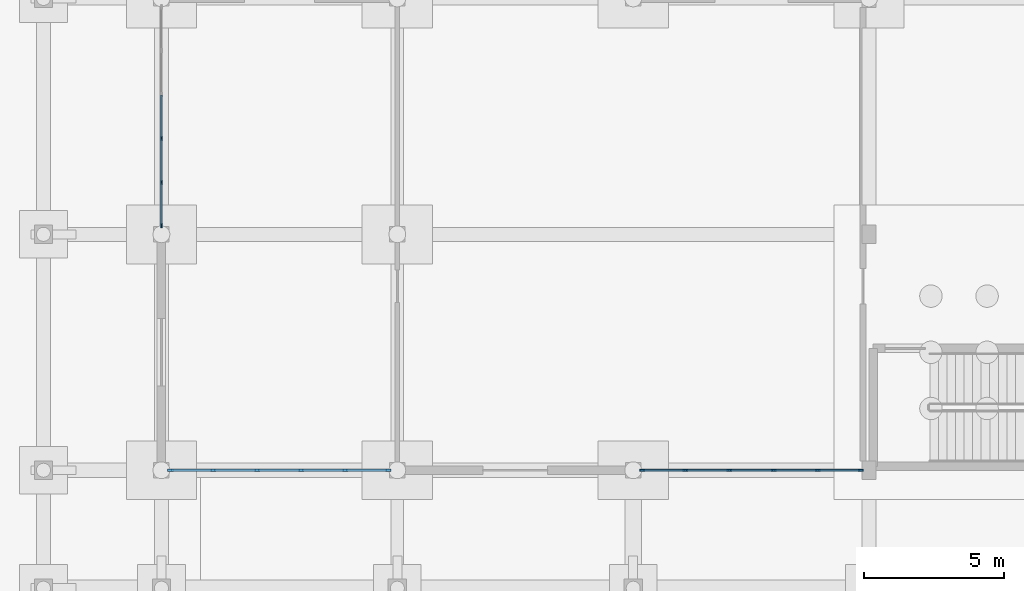
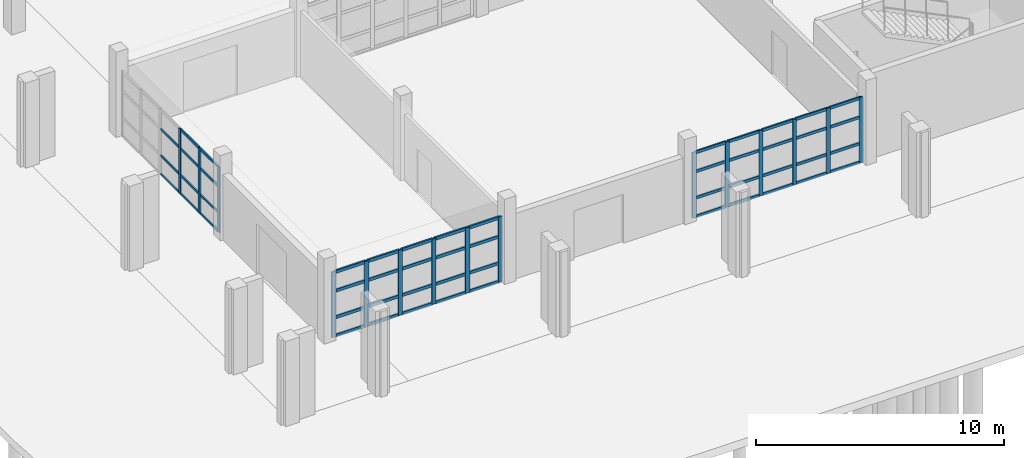
# One storey, part 16 of 88: 66 members, 3 elements without a shape of their own.
"""IFC4 building model written with IfcOpenShell, lengths in metres."""

from ifc_helpers import new_model, si_unit, direction, frame, origin, origin_2d, place, context, subcontext, project, spatial, rectangle, extrude, material, material_profile, profile_set, type_object, element, aggregate, save


model = new_model("IFC4")

# Units and contexts
model_context = context("Model", 3, precision=1e-05, world=origin(), true_north=direction((0.0, 1.0)))
body_context = subcontext(model_context, "Body", "Model", "MODEL_VIEW")
ifc_project = project(units=[si_unit("LENGTHUNIT", "METRE"), si_unit("AREAUNIT", "SQUARE_METRE"), si_unit("VOLUMEUNIT", "CUBIC_METRE"), si_unit("PLANEANGLEUNIT", "RADIAN"), si_unit("MASSUNIT", "GRAM", prefix="KILO")], contexts=[model_context])

# Site, building, storey
site_placement = place(None, origin())
site = spatial("IfcSite", under=ifc_project, at=site_placement, CompositionType="ELEMENT")
building_placement = place(site_placement, origin())
building = spatial("IfcBuilding", under=site, at=building_placement, Name="Vanh Quang Courtyard School", CompositionType="ELEMENT")
storey_placement = place(building_placement, origin())
storey = spatial("IfcBuildingStorey", under=building, at=storey_placement, Name="L00", CompositionType="ELEMENT", Elevation=0.0)

# Curtain wall, members
ifc_material_1 = material(Name="Thermally broken aluminium unitised curtain wall", Category="aluminium")
curtain_wall_type_1 = type_object("IfcCurtainWallType", Name="CW-SYS-01", PredefinedType="NOTDEFINED", material=ifc_material_1)
curtain_wall_1_placement = place(storey_placement, origin())
curtain_wall_1 = element("IfcCurtainWall", 1, at=curtain_wall_1_placement, inside=storey, type_object=curtain_wall_type_1, Name="Curtain Wall CW-01 (L00)", PredefinedType="NOTDEFINED")
ifc_material_2 = material(Name="Anodised aluminium 6063-T6", Category="aluminium")
ifc_material_profile_1 = material_profile(ifc_material_2, rectangle(XDim=0.06005859375, YDim=0.159912109375, at=origin_2d()), Name="ALU-MUL 60x160")
ifc_profile_set_1 = profile_set([ifc_material_profile_1], Name="Anodised aluminium 6063-T6")
member_type_1 = type_object("IfcMemberType", Name="CW-MUL-60x160", PredefinedType="MULLION", material=ifc_profile_set_1)
member_1_placement = place(storey_placement, frame((4.199951171875, 12.9130859375, 0.0), z_axis=(0.0, 0.0, 1.0), x_axis=(-1.0, 0.0, 0.0)))
member_1 = element("IfcMember", 2, at=member_1_placement, type_object=member_type_1, Name="CW-01 mullion 1", PredefinedType="MULLION", context=body_context, shape_type="SweptSolid", body=[
    extrude(rectangle(XDim=0.06005859375, YDim=0.159912109375, at=origin_2d()), origin(), (0.0, 0.0, 1.0), 3.219970703125),
])
member_2_placement = place(storey_placement, frame((4.199951171875, 14.44970703125, 0.0), z_axis=(0.0, 0.0, 1.0), x_axis=(-1.0, 0.0, 0.0)))
member_2 = element("IfcMember", 3, at=member_2_placement, type_object=member_type_1, Name="CW-01 mullion 2", PredefinedType="MULLION", context=body_context, shape_type="SweptSolid", body=[
    extrude(rectangle(XDim=0.06005859375, YDim=0.159912109375, at=origin_2d()), origin(), (0.0, 0.0, 1.0), 3.219970703125),
])
member_3_placement = place(storey_placement, frame((4.199951171875, 16.0166015625, 0.0), z_axis=(0.0, 0.0, 1.0), x_axis=(-1.0, 0.0, 0.0)))
member_3 = element("IfcMember", 4, at=member_3_placement, type_object=member_type_1, Name="CW-01 mullion 3", PredefinedType="MULLION", context=body_context, shape_type="SweptSolid", body=[
    extrude(rectangle(XDim=0.06005859375, YDim=0.159912109375, at=origin_2d()), origin(), (0.0, 0.0, 1.0), 3.219970703125),
])

curtain_wall_type_2 = type_object("IfcCurtainWallType", Name="CW-SYS-08", PredefinedType="NOTDEFINED", material=ifc_material_1)
curtain_wall_2_placement = place(storey_placement, origin())
curtain_wall_2 = element("IfcCurtainWall", 5, at=curtain_wall_2_placement, inside=storey, type_object=curtain_wall_type_2, Name="Curtain Wall CW-08 (L00)", PredefinedType="NOTDEFINED")
ifc_material_profile_2 = material_profile(ifc_material_2, rectangle(XDim=0.070068359375, YDim=0.179931640625, at=origin_2d()), Name="ALU-MUL 70x180")
ifc_profile_set_2 = profile_set([ifc_material_profile_2], Name="Anodised aluminium 6063-T6")
member_type_2 = type_object("IfcMemberType", Name="CW-MUL-70x180", PredefinedType="MULLION", material=ifc_profile_set_2)
member_4_placement = place(storey_placement, frame((29.10693359375, 4.199951171875, 0.0), z_axis=(0.0, 0.0, 1.0), x_axis=(0.0, -1.0, 0.0)))
member_4 = element("IfcMember", 6, at=member_4_placement, type_object=member_type_2, Name="CW-08 mullion 1", PredefinedType="MULLION", context=body_context, shape_type="SweptSolid", body=[
    extrude(rectangle(XDim=0.070068359375, YDim=0.179931640625, at=origin_2d()), origin(), (0.0, 0.0, 1.0), 3.219970703125),
])
member_5_placement = place(storey_placement, frame((27.5703125, 4.199951171875, 0.0), z_axis=(0.0, 0.0, 1.0), x_axis=(0.0, -1.0, 0.0)))
member_5 = element("IfcMember", 7, at=member_5_placement, type_object=member_type_2, Name="CW-08 mullion 2", PredefinedType="MULLION", context=body_context, shape_type="SweptSolid", body=[
    extrude(rectangle(XDim=0.070068359375, YDim=0.179931640625, at=origin_2d()), origin(), (0.0, 0.0, 1.0), 3.219970703125),
])
member_6_placement = place(storey_placement, frame((25.998291015625, 4.199951171875, 0.0), z_axis=(0.0, 0.0, 1.0), x_axis=(0.0, -1.0, 0.0)))
member_6 = element("IfcMember", 8, at=member_6_placement, type_object=member_type_2, Name="CW-08 mullion 3", PredefinedType="MULLION", context=body_context, shape_type="SweptSolid", body=[
    extrude(rectangle(XDim=0.070068359375, YDim=0.179931640625, at=origin_2d()), origin(), (0.0, 0.0, 1.0), 3.219970703125),
])
member_7_placement = place(storey_placement, frame((24.426513671875, 4.199951171875, 0.0), z_axis=(0.0, 0.0, 1.0), x_axis=(0.0, -1.0, 0.0)))
member_7 = element("IfcMember", 9, at=member_7_placement, type_object=member_type_2, Name="CW-08 mullion 4", PredefinedType="MULLION", context=body_context, shape_type="SweptSolid", body=[
    extrude(rectangle(XDim=0.070068359375, YDim=0.179931640625, at=origin_2d()), origin(), (0.0, 0.0, 1.0), 3.219970703125),
])
member_8_placement = place(storey_placement, frame((22.854736328125, 4.199951171875, 0.0), z_axis=(0.0, 0.0, 1.0), x_axis=(0.0, -1.0, 0.0)))
member_8 = element("IfcMember", 10, at=member_8_placement, type_object=member_type_2, Name="CW-08 mullion 5", PredefinedType="MULLION", context=body_context, shape_type="SweptSolid", body=[
    extrude(rectangle(XDim=0.070068359375, YDim=0.179931640625, at=origin_2d()), origin(), (0.0, 0.0, 1.0), 3.219970703125),
])
member_9_placement = place(storey_placement, frame((21.318115234375, 4.199951171875, 0.0), z_axis=(0.0, 0.0, 1.0), x_axis=(0.0, -1.0, 0.0)))
member_9 = element("IfcMember", 11, at=member_9_placement, type_object=member_type_2, Name="CW-08 mullion 6", PredefinedType="MULLION", context=body_context, shape_type="SweptSolid", body=[
    extrude(rectangle(XDim=0.070068359375, YDim=0.179931640625, at=origin_2d()), origin(), (0.0, 0.0, 1.0), 3.219970703125),
])

curtain_wall_3_placement = place(storey_placement, origin())
curtain_wall_3 = element("IfcCurtainWall", 12, at=curtain_wall_3_placement, inside=storey, type_object=curtain_wall_type_1, Name="Curtain Wall CW-01 (L00)", PredefinedType="NOTDEFINED")
ifc_material_profile_3 = material_profile(ifc_material_2, rectangle(XDim=0.080078125, YDim=0.199951171875, at=origin_2d()), Name="ALU-MUL 80x200")
ifc_profile_set_3 = profile_set([ifc_material_profile_3], Name="Anodised aluminium 6063-T6")
member_type_3 = type_object("IfcMemberType", Name="CW-MUL-80x200", PredefinedType="MULLION", material=ifc_profile_set_3)
member_10_placement = place(storey_placement, frame((12.277099609375, 4.199951171875, 0.0), z_axis=(0.0, 0.0, 1.0), x_axis=(0.0, -1.0, 0.0)))
member_10 = element("IfcMember", 13, at=member_10_placement, type_object=member_type_3, Name="CW-01 mullion 1", PredefinedType="MULLION", context=body_context, shape_type="SweptSolid", body=[
    extrude(rectangle(XDim=0.080078125, YDim=0.199951171875, at=origin_2d()), origin(), (0.0, 0.0, 1.0), 3.219970703125),
])
member_11_placement = place(storey_placement, frame((10.750244140625, 4.199951171875, 0.0), z_axis=(0.0, 0.0, 1.0), x_axis=(0.0, -1.0, 0.0)))
member_11 = element("IfcMember", 14, at=member_11_placement, type_object=member_type_3, Name="CW-01 mullion 2", PredefinedType="MULLION", context=body_context, shape_type="SweptSolid", body=[
    extrude(rectangle(XDim=0.080078125, YDim=0.199951171875, at=origin_2d()), origin(), (0.0, 0.0, 1.0), 3.219970703125),
])
member_12_placement = place(storey_placement, frame((9.183349609375, 4.199951171875, 0.0), z_axis=(0.0, 0.0, 1.0), x_axis=(0.0, -1.0, 0.0)))
member_12 = element("IfcMember", 15, at=member_12_placement, type_object=member_type_3, Name="CW-01 mullion 3", PredefinedType="MULLION", context=body_context, shape_type="SweptSolid", body=[
    extrude(rectangle(XDim=0.080078125, YDim=0.199951171875, at=origin_2d()), origin(), (0.0, 0.0, 1.0), 3.219970703125),
])
member_13_placement = place(storey_placement, frame((7.61669921875, 4.199951171875, 0.0), z_axis=(0.0, 0.0, 1.0), x_axis=(0.0, -1.0, 0.0)))
member_13 = element("IfcMember", 16, at=member_13_placement, type_object=member_type_3, Name="CW-01 mullion 4", PredefinedType="MULLION", context=body_context, shape_type="SweptSolid", body=[
    extrude(rectangle(XDim=0.080078125, YDim=0.199951171875, at=origin_2d()), origin(), (0.0, 0.0, 1.0), 3.219970703125),
])
member_14_placement = place(storey_placement, frame((6.0498046875, 4.199951171875, 0.0), z_axis=(0.0, 0.0, 1.0), x_axis=(0.0, -1.0, 0.0)))
member_14 = element("IfcMember", 17, at=member_14_placement, type_object=member_type_3, Name="CW-01 mullion 5", PredefinedType="MULLION", context=body_context, shape_type="SweptSolid", body=[
    extrude(rectangle(XDim=0.080078125, YDim=0.199951171875, at=origin_2d()), origin(), (0.0, 0.0, 1.0), 3.219970703125),
])
member_15_placement = place(storey_placement, frame((4.52294921875, 4.199951171875, 0.0), z_axis=(0.0, 0.0, 1.0), x_axis=(0.0, -1.0, 0.0)))
member_15 = element("IfcMember", 18, at=member_15_placement, type_object=member_type_3, Name="CW-01 mullion 6", PredefinedType="MULLION", context=body_context, shape_type="SweptSolid", body=[
    extrude(rectangle(XDim=0.080078125, YDim=0.199951171875, at=origin_2d()), origin(), (0.0, 0.0, 1.0), 3.219970703125),
])

# Member
ifc_material_profile_4 = material_profile(ifc_material_2, rectangle(XDim=0.06005859375, YDim=0.1201171875, at=origin_2d()), Name="ALU-TRN 60x120")
ifc_profile_set_4 = profile_set([ifc_material_profile_4], Name="Anodised aluminium 6063-T6")
member_type_4 = type_object("IfcMemberType", Name="CW-TRN-60x120", PredefinedType="USERDEFINED", material=ifc_profile_set_4)
member_16_placement = place(storey_placement, frame((4.199951171875, 12.943115234375, 0.030029296875), z_axis=(0.0, 1.0, 0.0), x_axis=(-1.0, 0.0, 0.0)))
member_16 = element("IfcMember", 19, at=member_16_placement, type_object=member_type_4, Name="CW-01 transom 1.1", ObjectType="TRANSOM", PredefinedType="USERDEFINED", context=body_context, shape_type="SweptSolid", body=[
    extrude(rectangle(XDim=0.06005859375, YDim=0.1201171875, at=origin_2d()), origin(), (0.0, 0.0, 1.0), 1.476806640625),
])

member_17_placement = place(storey_placement, frame((4.199951171875, 12.943115234375, 0.949951171875), z_axis=(0.0, 1.0, 0.0), x_axis=(-1.0, 0.0, 0.0)))
member_17 = element("IfcMember", 20, at=member_17_placement, type_object=member_type_4, Name="CW-01 transom 1.2", ObjectType="TRANSOM", PredefinedType="USERDEFINED", context=body_context, shape_type="SweptSolid", body=[
    extrude(rectangle(XDim=0.06005859375, YDim=0.1201171875, at=origin_2d()), origin(), (0.0, 0.0, 1.0), 1.476806640625),
])

member_18_placement = place(storey_placement, frame((4.199951171875, 12.943115234375, 2.25), z_axis=(0.0, 1.0, 0.0), x_axis=(-1.0, 0.0, 0.0)))
member_18 = element("IfcMember", 21, at=member_18_placement, type_object=member_type_4, Name="CW-01 transom 1.3", ObjectType="TRANSOM", PredefinedType="USERDEFINED", context=body_context, shape_type="SweptSolid", body=[
    extrude(rectangle(XDim=0.06005859375, YDim=0.1201171875, at=origin_2d()), origin(), (0.0, 0.0, 1.0), 1.476806640625),
])

member_19_placement = place(storey_placement, frame((4.199951171875, 12.943115234375, 3.18994140625), z_axis=(0.0, 1.0, 0.0), x_axis=(-1.0, 0.0, 0.0)))
member_19 = element("IfcMember", 22, at=member_19_placement, type_object=member_type_4, Name="CW-01 transom 1.4", ObjectType="TRANSOM", PredefinedType="USERDEFINED", context=body_context, shape_type="SweptSolid", body=[
    extrude(rectangle(XDim=0.06005859375, YDim=0.1201171875, at=origin_2d()), origin(), (0.0, 0.0, 1.0), 1.476806640625),
])

member_20_placement = place(storey_placement, frame((4.199951171875, 14.479736328125, 0.030029296875), z_axis=(0.0, 1.0, 0.0), x_axis=(-1.0, 0.0, 0.0)))
member_20 = element("IfcMember", 23, at=member_20_placement, type_object=member_type_4, Name="CW-01 transom 2.1", ObjectType="TRANSOM", PredefinedType="USERDEFINED", context=body_context, shape_type="SweptSolid", body=[
    extrude(rectangle(XDim=0.06005859375, YDim=0.1201171875, at=origin_2d()), origin(), (0.0, 0.0, 1.0), 1.5068359375),
])

member_21_placement = place(storey_placement, frame((4.199951171875, 14.479736328125, 0.949951171875), z_axis=(0.0, 1.0, 0.0), x_axis=(-1.0, 0.0, 0.0)))
member_21 = element("IfcMember", 24, at=member_21_placement, type_object=member_type_4, Name="CW-01 transom 2.2", ObjectType="TRANSOM", PredefinedType="USERDEFINED", context=body_context, shape_type="SweptSolid", body=[
    extrude(rectangle(XDim=0.06005859375, YDim=0.1201171875, at=origin_2d()), origin(), (0.0, 0.0, 1.0), 1.5068359375),
])

member_22_placement = place(storey_placement, frame((4.199951171875, 14.479736328125, 2.25), z_axis=(0.0, 1.0, 0.0), x_axis=(-1.0, 0.0, 0.0)))
member_22 = element("IfcMember", 25, at=member_22_placement, type_object=member_type_4, Name="CW-01 transom 2.3", ObjectType="TRANSOM", PredefinedType="USERDEFINED", context=body_context, shape_type="SweptSolid", body=[
    extrude(rectangle(XDim=0.06005859375, YDim=0.1201171875, at=origin_2d()), origin(), (0.0, 0.0, 1.0), 1.5068359375),
])

member_23_placement = place(storey_placement, frame((4.199951171875, 14.479736328125, 3.18994140625), z_axis=(0.0, 1.0, 0.0), x_axis=(-1.0, 0.0, 0.0)))
member_23 = element("IfcMember", 26, at=member_23_placement, type_object=member_type_4, Name="CW-01 transom 2.4", ObjectType="TRANSOM", PredefinedType="USERDEFINED", context=body_context, shape_type="SweptSolid", body=[
    extrude(rectangle(XDim=0.06005859375, YDim=0.1201171875, at=origin_2d()), origin(), (0.0, 0.0, 1.0), 1.5068359375),
])

member_24_placement = place(storey_placement, frame((4.199951171875, 16.046630859375, 0.030029296875), z_axis=(0.0, 1.0, 0.0), x_axis=(-1.0, 0.0, 0.0)))
member_24 = element("IfcMember", 27, at=member_24_placement, type_object=member_type_4, Name="CW-01 transom 3.1", ObjectType="TRANSOM", PredefinedType="USERDEFINED", context=body_context, shape_type="SweptSolid", body=[
    extrude(rectangle(XDim=0.06005859375, YDim=0.1201171875, at=origin_2d()), origin(), (0.0, 0.0, 1.0), 1.5068359375),
])

member_25_placement = place(storey_placement, frame((4.199951171875, 16.046630859375, 0.949951171875), z_axis=(0.0, 1.0, 0.0), x_axis=(-1.0, 0.0, 0.0)))
member_25 = element("IfcMember", 28, at=member_25_placement, type_object=member_type_4, Name="CW-01 transom 3.2", ObjectType="TRANSOM", PredefinedType="USERDEFINED", context=body_context, shape_type="SweptSolid", body=[
    extrude(rectangle(XDim=0.06005859375, YDim=0.1201171875, at=origin_2d()), origin(), (0.0, 0.0, 1.0), 1.5068359375),
])

member_26_placement = place(storey_placement, frame((4.199951171875, 16.046630859375, 2.25), z_axis=(0.0, 1.0, 0.0), x_axis=(-1.0, 0.0, 0.0)))
member_26 = element("IfcMember", 29, at=member_26_placement, type_object=member_type_4, Name="CW-01 transom 3.3", ObjectType="TRANSOM", PredefinedType="USERDEFINED", context=body_context, shape_type="SweptSolid", body=[
    extrude(rectangle(XDim=0.06005859375, YDim=0.1201171875, at=origin_2d()), origin(), (0.0, 0.0, 1.0), 1.5068359375),
])

aggregate(curtain_wall_1, [member_1, member_2, member_3, member_16, member_17, member_18, member_19, member_20, member_21, member_22, member_23, member_24, member_25, member_26])

ifc_material_profile_5 = material_profile(ifc_material_2, rectangle(XDim=0.070068359375, YDim=0.139892578125, at=origin_2d()), Name="ALU-TRN 70x140")
ifc_profile_set_5 = profile_set([ifc_material_profile_5], Name="Anodised aluminium 6063-T6")
member_type_5 = type_object("IfcMemberType", Name="CW-TRN-70x140", PredefinedType="USERDEFINED", material=ifc_profile_set_5)
member_27_placement = place(storey_placement, frame((29.072021484375, 4.199951171875, 0.034912109375), z_axis=(-1.0, 0.0, 0.0), x_axis=(0.0, -1.0, 0.0)))
member_27 = element("IfcMember", 30, at=member_27_placement, type_object=member_type_5, Name="CW-08 transom 1.1", ObjectType="TRANSOM", PredefinedType="USERDEFINED", context=body_context, shape_type="SweptSolid", body=[
    extrude(rectangle(XDim=0.070068359375, YDim=0.139892578125, at=origin_2d()), origin(), (0.0, 0.0, 1.0), 1.466796875),
])

member_28_placement = place(storey_placement, frame((29.072021484375, 4.199951171875, 0.949951171875), z_axis=(-1.0, 0.0, 0.0), x_axis=(0.0, -1.0, 0.0)))
member_28 = element("IfcMember", 31, at=member_28_placement, type_object=member_type_5, Name="CW-08 transom 1.2", ObjectType="TRANSOM", PredefinedType="USERDEFINED", context=body_context, shape_type="SweptSolid", body=[
    extrude(rectangle(XDim=0.070068359375, YDim=0.139892578125, at=origin_2d()), origin(), (0.0, 0.0, 1.0), 1.466796875),
])

member_29_placement = place(storey_placement, frame((29.072021484375, 4.199951171875, 2.25), z_axis=(-1.0, 0.0, 0.0), x_axis=(0.0, -1.0, 0.0)))
member_29 = element("IfcMember", 32, at=member_29_placement, type_object=member_type_5, Name="CW-08 transom 1.3", ObjectType="TRANSOM", PredefinedType="USERDEFINED", context=body_context, shape_type="SweptSolid", body=[
    extrude(rectangle(XDim=0.070068359375, YDim=0.139892578125, at=origin_2d()), origin(), (0.0, 0.0, 1.0), 1.466796875),
])

member_30_placement = place(storey_placement, frame((29.072021484375, 4.199951171875, 3.18505859375), z_axis=(-1.0, 0.0, 0.0), x_axis=(0.0, -1.0, 0.0)))
member_30 = element("IfcMember", 33, at=member_30_placement, type_object=member_type_5, Name="CW-08 transom 1.4", ObjectType="TRANSOM", PredefinedType="USERDEFINED", context=body_context, shape_type="SweptSolid", body=[
    extrude(rectangle(XDim=0.070068359375, YDim=0.139892578125, at=origin_2d()), origin(), (0.0, 0.0, 1.0), 1.466796875),
])

member_31_placement = place(storey_placement, frame((27.53515625, 4.199951171875, 0.034912109375), z_axis=(-1.0, 0.0, 0.0), x_axis=(0.0, -1.0, 0.0)))
member_31 = element("IfcMember", 34, at=member_31_placement, type_object=member_type_5, Name="CW-08 transom 2.1", ObjectType="TRANSOM", PredefinedType="USERDEFINED", context=body_context, shape_type="SweptSolid", body=[
    extrude(rectangle(XDim=0.070068359375, YDim=0.139892578125, at=origin_2d()), origin(), (0.0, 0.0, 1.0), 1.501708984375),
])

member_32_placement = place(storey_placement, frame((27.53515625, 4.199951171875, 0.949951171875), z_axis=(-1.0, 0.0, 0.0), x_axis=(0.0, -1.0, 0.0)))
member_32 = element("IfcMember", 35, at=member_32_placement, type_object=member_type_5, Name="CW-08 transom 2.2", ObjectType="TRANSOM", PredefinedType="USERDEFINED", context=body_context, shape_type="SweptSolid", body=[
    extrude(rectangle(XDim=0.070068359375, YDim=0.139892578125, at=origin_2d()), origin(), (0.0, 0.0, 1.0), 1.501708984375),
])

member_33_placement = place(storey_placement, frame((27.53515625, 4.199951171875, 2.25), z_axis=(-1.0, 0.0, 0.0), x_axis=(0.0, -1.0, 0.0)))
member_33 = element("IfcMember", 36, at=member_33_placement, type_object=member_type_5, Name="CW-08 transom 2.3", ObjectType="TRANSOM", PredefinedType="USERDEFINED", context=body_context, shape_type="SweptSolid", body=[
    extrude(rectangle(XDim=0.070068359375, YDim=0.139892578125, at=origin_2d()), origin(), (0.0, 0.0, 1.0), 1.501708984375),
])

member_34_placement = place(storey_placement, frame((27.53515625, 4.199951171875, 3.18505859375), z_axis=(-1.0, 0.0, 0.0), x_axis=(0.0, -1.0, 0.0)))
member_34 = element("IfcMember", 37, at=member_34_placement, type_object=member_type_5, Name="CW-08 transom 2.4", ObjectType="TRANSOM", PredefinedType="USERDEFINED", context=body_context, shape_type="SweptSolid", body=[
    extrude(rectangle(XDim=0.070068359375, YDim=0.139892578125, at=origin_2d()), origin(), (0.0, 0.0, 1.0), 1.501708984375),
])

member_35_placement = place(storey_placement, frame((25.96337890625, 4.199951171875, 0.034912109375), z_axis=(-1.0, 0.0, 0.0), x_axis=(0.0, -1.0, 0.0)))
member_35 = element("IfcMember", 38, at=member_35_placement, type_object=member_type_5, Name="CW-08 transom 3.1", ObjectType="TRANSOM", PredefinedType="USERDEFINED", context=body_context, shape_type="SweptSolid", body=[
    extrude(rectangle(XDim=0.070068359375, YDim=0.139892578125, at=origin_2d()), origin(), (0.0, 0.0, 1.0), 1.501708984375),
])

member_36_placement = place(storey_placement, frame((25.96337890625, 4.199951171875, 0.949951171875), z_axis=(-1.0, 0.0, 0.0), x_axis=(0.0, -1.0, 0.0)))
member_36 = element("IfcMember", 39, at=member_36_placement, type_object=member_type_5, Name="CW-08 transom 3.2", ObjectType="TRANSOM", PredefinedType="USERDEFINED", context=body_context, shape_type="SweptSolid", body=[
    extrude(rectangle(XDim=0.070068359375, YDim=0.139892578125, at=origin_2d()), origin(), (0.0, 0.0, 1.0), 1.501708984375),
])

member_37_placement = place(storey_placement, frame((25.96337890625, 4.199951171875, 2.25), z_axis=(-1.0, 0.0, 0.0), x_axis=(0.0, -1.0, 0.0)))
member_37 = element("IfcMember", 40, at=member_37_placement, type_object=member_type_5, Name="CW-08 transom 3.3", ObjectType="TRANSOM", PredefinedType="USERDEFINED", context=body_context, shape_type="SweptSolid", body=[
    extrude(rectangle(XDim=0.070068359375, YDim=0.139892578125, at=origin_2d()), origin(), (0.0, 0.0, 1.0), 1.501708984375),
])

member_38_placement = place(storey_placement, frame((25.96337890625, 4.199951171875, 3.18505859375), z_axis=(-1.0, 0.0, 0.0), x_axis=(0.0, -1.0, 0.0)))
member_38 = element("IfcMember", 41, at=member_38_placement, type_object=member_type_5, Name="CW-08 transom 3.4", ObjectType="TRANSOM", PredefinedType="USERDEFINED", context=body_context, shape_type="SweptSolid", body=[
    extrude(rectangle(XDim=0.070068359375, YDim=0.139892578125, at=origin_2d()), origin(), (0.0, 0.0, 1.0), 1.501708984375),
])

member_39_placement = place(storey_placement, frame((24.3916015625, 4.199951171875, 0.034912109375), z_axis=(-1.0, 0.0, 0.0), x_axis=(0.0, -1.0, 0.0)))
member_39 = element("IfcMember", 42, at=member_39_placement, type_object=member_type_5, Name="CW-08 transom 4.1", ObjectType="TRANSOM", PredefinedType="USERDEFINED", context=body_context, shape_type="SweptSolid", body=[
    extrude(rectangle(XDim=0.070068359375, YDim=0.139892578125, at=origin_2d()), origin(), (0.0, 0.0, 1.0), 1.501708984375),
])

member_40_placement = place(storey_placement, frame((24.3916015625, 4.199951171875, 0.949951171875), z_axis=(-1.0, 0.0, 0.0), x_axis=(0.0, -1.0, 0.0)))
member_40 = element("IfcMember", 43, at=member_40_placement, type_object=member_type_5, Name="CW-08 transom 4.2", ObjectType="TRANSOM", PredefinedType="USERDEFINED", context=body_context, shape_type="SweptSolid", body=[
    extrude(rectangle(XDim=0.070068359375, YDim=0.139892578125, at=origin_2d()), origin(), (0.0, 0.0, 1.0), 1.501708984375),
])

member_41_placement = place(storey_placement, frame((24.3916015625, 4.199951171875, 2.25), z_axis=(-1.0, 0.0, 0.0), x_axis=(0.0, -1.0, 0.0)))
member_41 = element("IfcMember", 44, at=member_41_placement, type_object=member_type_5, Name="CW-08 transom 4.3", ObjectType="TRANSOM", PredefinedType="USERDEFINED", context=body_context, shape_type="SweptSolid", body=[
    extrude(rectangle(XDim=0.070068359375, YDim=0.139892578125, at=origin_2d()), origin(), (0.0, 0.0, 1.0), 1.501708984375),
])

member_42_placement = place(storey_placement, frame((24.3916015625, 4.199951171875, 3.18505859375), z_axis=(-1.0, 0.0, 0.0), x_axis=(0.0, -1.0, 0.0)))
member_42 = element("IfcMember", 45, at=member_42_placement, type_object=member_type_5, Name="CW-08 transom 4.4", ObjectType="TRANSOM", PredefinedType="USERDEFINED", context=body_context, shape_type="SweptSolid", body=[
    extrude(rectangle(XDim=0.070068359375, YDim=0.139892578125, at=origin_2d()), origin(), (0.0, 0.0, 1.0), 1.501708984375),
])

member_43_placement = place(storey_placement, frame((22.81982421875, 4.199951171875, 0.034912109375), z_axis=(-1.0, 0.0, 0.0), x_axis=(0.0, -1.0, 0.0)))
member_43 = element("IfcMember", 46, at=member_43_placement, type_object=member_type_5, Name="CW-08 transom 5.1", ObjectType="TRANSOM", PredefinedType="USERDEFINED", context=body_context, shape_type="SweptSolid", body=[
    extrude(rectangle(XDim=0.070068359375, YDim=0.139892578125, at=origin_2d()), origin(), (0.0, 0.0, 1.0), 1.466796875),
])

member_44_placement = place(storey_placement, frame((22.81982421875, 4.199951171875, 0.949951171875), z_axis=(-1.0, 0.0, 0.0), x_axis=(0.0, -1.0, 0.0)))
member_44 = element("IfcMember", 47, at=member_44_placement, type_object=member_type_5, Name="CW-08 transom 5.2", ObjectType="TRANSOM", PredefinedType="USERDEFINED", context=body_context, shape_type="SweptSolid", body=[
    extrude(rectangle(XDim=0.070068359375, YDim=0.139892578125, at=origin_2d()), origin(), (0.0, 0.0, 1.0), 1.466796875),
])

member_45_placement = place(storey_placement, frame((22.81982421875, 4.199951171875, 2.25), z_axis=(-1.0, 0.0, 0.0), x_axis=(0.0, -1.0, 0.0)))
member_45 = element("IfcMember", 48, at=member_45_placement, type_object=member_type_5, Name="CW-08 transom 5.3", ObjectType="TRANSOM", PredefinedType="USERDEFINED", context=body_context, shape_type="SweptSolid", body=[
    extrude(rectangle(XDim=0.070068359375, YDim=0.139892578125, at=origin_2d()), origin(), (0.0, 0.0, 1.0), 1.466796875),
])

member_46_placement = place(storey_placement, frame((22.81982421875, 4.199951171875, 3.18505859375), z_axis=(-1.0, 0.0, 0.0), x_axis=(0.0, -1.0, 0.0)))
member_46 = element("IfcMember", 49, at=member_46_placement, type_object=member_type_5, Name="CW-08 transom 5.4", ObjectType="TRANSOM", PredefinedType="USERDEFINED", context=body_context, shape_type="SweptSolid", body=[
    extrude(rectangle(XDim=0.070068359375, YDim=0.139892578125, at=origin_2d()), origin(), (0.0, 0.0, 1.0), 1.466796875),
])

aggregate(curtain_wall_2, [member_4, member_5, member_6, member_7, member_8, member_9, member_27, member_28, member_29, member_30, member_31, member_32, member_33, member_34, member_35, member_36, member_37, member_38, member_39, member_40, member_41, member_42, member_43, member_44, member_45, member_46])

ifc_material_profile_6 = material_profile(ifc_material_2, rectangle(XDim=0.080078125, YDim=0.14990234375, at=origin_2d()), Name="ALU-TRN 80x150")
ifc_profile_set_6 = profile_set([ifc_material_profile_6], Name="Anodised aluminium 6063-T6")
member_type_6 = type_object("IfcMemberType", Name="CW-TRN-80x150", PredefinedType="USERDEFINED", material=ifc_profile_set_6)
member_47_placement = place(storey_placement, frame((12.237060546875, 4.199951171875, 0.0400390625), z_axis=(-1.0, 0.0, 0.0), x_axis=(0.0, -1.0, 0.0)))
member_47 = element("IfcMember", 50, at=member_47_placement, type_object=member_type_6, Name="CW-01 transom 1.1", ObjectType="TRANSOM", PredefinedType="USERDEFINED", context=body_context, shape_type="SweptSolid", body=[
    extrude(rectangle(XDim=0.080078125, YDim=0.14990234375, at=origin_2d()), origin(), (0.0, 0.0, 1.0), 1.44677734375),
])

member_48_placement = place(storey_placement, frame((12.237060546875, 4.199951171875, 0.949951171875), z_axis=(-1.0, 0.0, 0.0), x_axis=(0.0, -1.0, 0.0)))
member_48 = element("IfcMember", 51, at=member_48_placement, type_object=member_type_6, Name="CW-01 transom 1.2", ObjectType="TRANSOM", PredefinedType="USERDEFINED", context=body_context, shape_type="SweptSolid", body=[
    extrude(rectangle(XDim=0.080078125, YDim=0.14990234375, at=origin_2d()), origin(), (0.0, 0.0, 1.0), 1.44677734375),
])

member_49_placement = place(storey_placement, frame((12.237060546875, 4.199951171875, 2.25), z_axis=(-1.0, 0.0, 0.0), x_axis=(0.0, -1.0, 0.0)))
member_49 = element("IfcMember", 52, at=member_49_placement, type_object=member_type_6, Name="CW-01 transom 1.3", ObjectType="TRANSOM", PredefinedType="USERDEFINED", context=body_context, shape_type="SweptSolid", body=[
    extrude(rectangle(XDim=0.080078125, YDim=0.14990234375, at=origin_2d()), origin(), (0.0, 0.0, 1.0), 1.44677734375),
])

member_50_placement = place(storey_placement, frame((12.237060546875, 4.199951171875, 3.179931640625), z_axis=(-1.0, 0.0, 0.0), x_axis=(0.0, -1.0, 0.0)))
member_50 = element("IfcMember", 53, at=member_50_placement, type_object=member_type_6, Name="CW-01 transom 1.4", ObjectType="TRANSOM", PredefinedType="USERDEFINED", context=body_context, shape_type="SweptSolid", body=[
    extrude(rectangle(XDim=0.080078125, YDim=0.14990234375, at=origin_2d()), origin(), (0.0, 0.0, 1.0), 1.44677734375),
])

member_51_placement = place(storey_placement, frame((10.710205078125, 4.199951171875, 0.0400390625), z_axis=(-1.0, 0.0, 0.0), x_axis=(0.0, -1.0, 0.0)))
member_51 = element("IfcMember", 54, at=member_51_placement, type_object=member_type_6, Name="CW-01 transom 2.1", ObjectType="TRANSOM", PredefinedType="USERDEFINED", context=body_context, shape_type="SweptSolid", body=[
    extrude(rectangle(XDim=0.080078125, YDim=0.14990234375, at=origin_2d()), origin(), (0.0, 0.0, 1.0), 1.48681640625),
])

member_52_placement = place(storey_placement, frame((10.710205078125, 4.199951171875, 0.949951171875), z_axis=(-1.0, 0.0, 0.0), x_axis=(0.0, -1.0, 0.0)))
member_52 = element("IfcMember", 55, at=member_52_placement, type_object=member_type_6, Name="CW-01 transom 2.2", ObjectType="TRANSOM", PredefinedType="USERDEFINED", context=body_context, shape_type="SweptSolid", body=[
    extrude(rectangle(XDim=0.080078125, YDim=0.14990234375, at=origin_2d()), origin(), (0.0, 0.0, 1.0), 1.48681640625),
])

member_53_placement = place(storey_placement, frame((10.710205078125, 4.199951171875, 2.25), z_axis=(-1.0, 0.0, 0.0), x_axis=(0.0, -1.0, 0.0)))
member_53 = element("IfcMember", 56, at=member_53_placement, type_object=member_type_6, Name="CW-01 transom 2.3", ObjectType="TRANSOM", PredefinedType="USERDEFINED", context=body_context, shape_type="SweptSolid", body=[
    extrude(rectangle(XDim=0.080078125, YDim=0.14990234375, at=origin_2d()), origin(), (0.0, 0.0, 1.0), 1.48681640625),
])

member_54_placement = place(storey_placement, frame((10.710205078125, 4.199951171875, 3.179931640625), z_axis=(-1.0, 0.0, 0.0), x_axis=(0.0, -1.0, 0.0)))
member_54 = element("IfcMember", 57, at=member_54_placement, type_object=member_type_6, Name="CW-01 transom 2.4", ObjectType="TRANSOM", PredefinedType="USERDEFINED", context=body_context, shape_type="SweptSolid", body=[
    extrude(rectangle(XDim=0.080078125, YDim=0.14990234375, at=origin_2d()), origin(), (0.0, 0.0, 1.0), 1.48681640625),
])

member_55_placement = place(storey_placement, frame((9.143310546875, 4.199951171875, 0.0400390625), z_axis=(-1.0, 0.0, 0.0), x_axis=(0.0, -1.0, 0.0)))
member_55 = element("IfcMember", 58, at=member_55_placement, type_object=member_type_6, Name="CW-01 transom 3.1", ObjectType="TRANSOM", PredefinedType="USERDEFINED", context=body_context, shape_type="SweptSolid", body=[
    extrude(rectangle(XDim=0.080078125, YDim=0.14990234375, at=origin_2d()), origin(), (0.0, 0.0, 1.0), 1.48681640625),
])

member_56_placement = place(storey_placement, frame((9.143310546875, 4.199951171875, 0.949951171875), z_axis=(-1.0, 0.0, 0.0), x_axis=(0.0, -1.0, 0.0)))
member_56 = element("IfcMember", 59, at=member_56_placement, type_object=member_type_6, Name="CW-01 transom 3.2", ObjectType="TRANSOM", PredefinedType="USERDEFINED", context=body_context, shape_type="SweptSolid", body=[
    extrude(rectangle(XDim=0.080078125, YDim=0.14990234375, at=origin_2d()), origin(), (0.0, 0.0, 1.0), 1.48681640625),
])

member_57_placement = place(storey_placement, frame((9.143310546875, 4.199951171875, 2.25), z_axis=(-1.0, 0.0, 0.0), x_axis=(0.0, -1.0, 0.0)))
member_57 = element("IfcMember", 60, at=member_57_placement, type_object=member_type_6, Name="CW-01 transom 3.3", ObjectType="TRANSOM", PredefinedType="USERDEFINED", context=body_context, shape_type="SweptSolid", body=[
    extrude(rectangle(XDim=0.080078125, YDim=0.14990234375, at=origin_2d()), origin(), (0.0, 0.0, 1.0), 1.48681640625),
])

member_58_placement = place(storey_placement, frame((9.143310546875, 4.199951171875, 3.179931640625), z_axis=(-1.0, 0.0, 0.0), x_axis=(0.0, -1.0, 0.0)))
member_58 = element("IfcMember", 61, at=member_58_placement, type_object=member_type_6, Name="CW-01 transom 3.4", ObjectType="TRANSOM", PredefinedType="USERDEFINED", context=body_context, shape_type="SweptSolid", body=[
    extrude(rectangle(XDim=0.080078125, YDim=0.14990234375, at=origin_2d()), origin(), (0.0, 0.0, 1.0), 1.48681640625),
])

member_59_placement = place(storey_placement, frame((7.57666015625, 4.199951171875, 0.0400390625), z_axis=(-1.0, 0.0, 0.0), x_axis=(0.0, -1.0, 0.0)))
member_59 = element("IfcMember", 62, at=member_59_placement, type_object=member_type_6, Name="CW-01 transom 4.1", ObjectType="TRANSOM", PredefinedType="USERDEFINED", context=body_context, shape_type="SweptSolid", body=[
    extrude(rectangle(XDim=0.080078125, YDim=0.14990234375, at=origin_2d()), origin(), (0.0, 0.0, 1.0), 1.48681640625),
])

member_60_placement = place(storey_placement, frame((7.57666015625, 4.199951171875, 0.949951171875), z_axis=(-1.0, 0.0, 0.0), x_axis=(0.0, -1.0, 0.0)))
member_60 = element("IfcMember", 63, at=member_60_placement, type_object=member_type_6, Name="CW-01 transom 4.2", ObjectType="TRANSOM", PredefinedType="USERDEFINED", context=body_context, shape_type="SweptSolid", body=[
    extrude(rectangle(XDim=0.080078125, YDim=0.14990234375, at=origin_2d()), origin(), (0.0, 0.0, 1.0), 1.48681640625),
])

member_61_placement = place(storey_placement, frame((7.57666015625, 4.199951171875, 2.25), z_axis=(-1.0, 0.0, 0.0), x_axis=(0.0, -1.0, 0.0)))
member_61 = element("IfcMember", 64, at=member_61_placement, type_object=member_type_6, Name="CW-01 transom 4.3", ObjectType="TRANSOM", PredefinedType="USERDEFINED", context=body_context, shape_type="SweptSolid", body=[
    extrude(rectangle(XDim=0.080078125, YDim=0.14990234375, at=origin_2d()), origin(), (0.0, 0.0, 1.0), 1.48681640625),
])

member_62_placement = place(storey_placement, frame((7.57666015625, 4.199951171875, 3.179931640625), z_axis=(-1.0, 0.0, 0.0), x_axis=(0.0, -1.0, 0.0)))
member_62 = element("IfcMember", 65, at=member_62_placement, type_object=member_type_6, Name="CW-01 transom 4.4", ObjectType="TRANSOM", PredefinedType="USERDEFINED", context=body_context, shape_type="SweptSolid", body=[
    extrude(rectangle(XDim=0.080078125, YDim=0.14990234375, at=origin_2d()), origin(), (0.0, 0.0, 1.0), 1.48681640625),
])

member_63_placement = place(storey_placement, frame((6.009765625, 4.199951171875, 0.0400390625), z_axis=(-1.0, 0.0, 0.0), x_axis=(0.0, -1.0, 0.0)))
member_63 = element("IfcMember", 66, at=member_63_placement, type_object=member_type_6, Name="CW-01 transom 5.1", ObjectType="TRANSOM", PredefinedType="USERDEFINED", context=body_context, shape_type="SweptSolid", body=[
    extrude(rectangle(XDim=0.080078125, YDim=0.14990234375, at=origin_2d()), origin(), (0.0, 0.0, 1.0), 1.44677734375),
])

member_64_placement = place(storey_placement, frame((6.009765625, 4.199951171875, 0.949951171875), z_axis=(-1.0, 0.0, 0.0), x_axis=(0.0, -1.0, 0.0)))
member_64 = element("IfcMember", 67, at=member_64_placement, type_object=member_type_6, Name="CW-01 transom 5.2", ObjectType="TRANSOM", PredefinedType="USERDEFINED", context=body_context, shape_type="SweptSolid", body=[
    extrude(rectangle(XDim=0.080078125, YDim=0.14990234375, at=origin_2d()), origin(), (0.0, 0.0, 1.0), 1.44677734375),
])

member_65_placement = place(storey_placement, frame((6.009765625, 4.199951171875, 2.25), z_axis=(-1.0, 0.0, 0.0), x_axis=(0.0, -1.0, 0.0)))
member_65 = element("IfcMember", 68, at=member_65_placement, type_object=member_type_6, Name="CW-01 transom 5.3", ObjectType="TRANSOM", PredefinedType="USERDEFINED", context=body_context, shape_type="SweptSolid", body=[
    extrude(rectangle(XDim=0.080078125, YDim=0.14990234375, at=origin_2d()), origin(), (0.0, 0.0, 1.0), 1.44677734375),
])

member_66_placement = place(storey_placement, frame((6.009765625, 4.199951171875, 3.179931640625), z_axis=(-1.0, 0.0, 0.0), x_axis=(0.0, -1.0, 0.0)))
member_66 = element("IfcMember", 69, at=member_66_placement, type_object=member_type_6, Name="CW-01 transom 5.4", ObjectType="TRANSOM", PredefinedType="USERDEFINED", context=body_context, shape_type="SweptSolid", body=[
    extrude(rectangle(XDim=0.080078125, YDim=0.14990234375, at=origin_2d()), origin(), (0.0, 0.0, 1.0), 1.44677734375),
])

aggregate(curtain_wall_3, [member_10, member_11, member_12, member_13, member_14, member_15, member_47, member_48, member_49, member_50, member_51, member_52, member_53, member_54, member_55, member_56, member_57, member_58, member_59, member_60, member_61, member_62, member_63, member_64, member_65, member_66])

save(model, "model.ifc")
